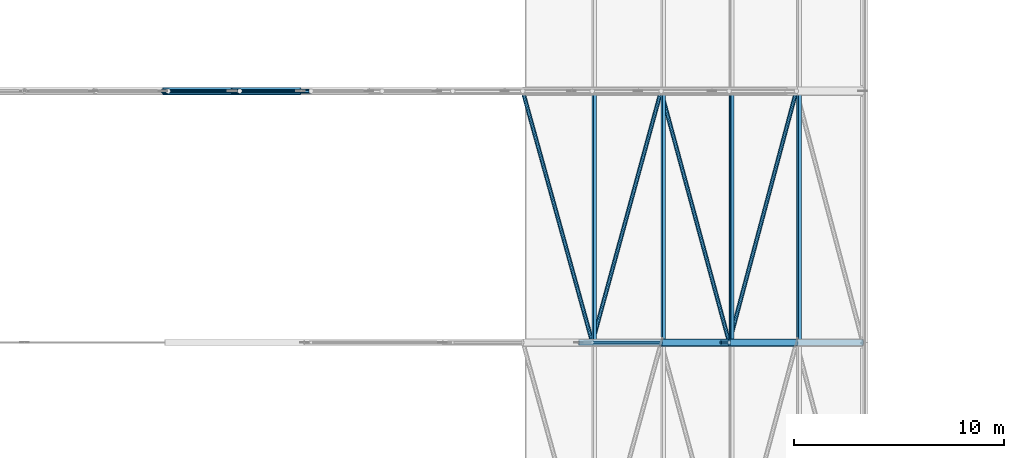
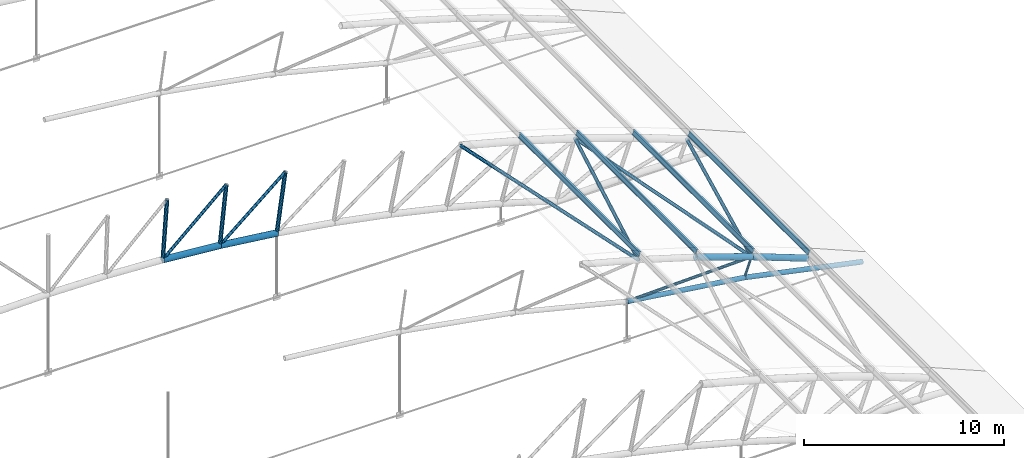
# One storey, part 105 of 321: 21 members.
"""IFC4 building model written with IfcOpenShell, lengths in metres."""

import ifcopenshell
import ifcopenshell.guid

model = None  # the IFC model being written
_history = None  # IfcOwnerHistory: only IFC2X3 demands one
_inside = {}  # id of a spatial element -> (the spatial element, [elements in it])
_under = {}  # id of a project, library or spatial element -> (it, [spatial elements below it])
_declared = {}  # id of a project -> (the project, [libraries it declares])
_typed = {}  # id of a type object -> (the type object, [elements of that type])
_made_of = {}  # id of a material, layer set ... -> (it, [elements and type objects made of it])


def new_model(schema):
    """Start an empty IFC model of exactly this schema.

    Asked for "IFC4X3", IfcOpenShell would pick the latest addendum, in which some entities
    have other attributes; the version numbers below select the first issue.
    IFC2X3 requires an IfcOwnerHistory on every rooted entity: one is made here for all.
    """
    global model, _history
    if schema == "IFC4X3":
        model = ifcopenshell.file(schema_version=(4, 3, 0, 0))
    else:
        model = ifcopenshell.file(schema=schema)
    _inside.clear()
    _under.clear()
    _declared.clear()
    _typed.clear()
    _made_of.clear()
    _history = None
    if model.schema == "IFC2X3":
        org = make("IfcOrganization", Name="unknown")
        user = make(
            "IfcPersonAndOrganization",
            ThePerson=make("IfcPerson", FamilyName="unknown"),
            TheOrganization=org,
        )
        app = make(
            "IfcApplication",
            ApplicationDeveloper=org,
            Version="unknown",
            ApplicationFullName="unknown",
            ApplicationIdentifier="unknown",
        )
        _history = make(
            "IfcOwnerHistory",
            OwningUser=user,
            OwningApplication=app,
            ChangeAction="ADDED",
            CreationDate=0,
        )
    return model


def make(cls, **values):
    """One entity of the class cls with the attributes given. An attribute that is None is left unset."""
    return model.create_entity(
        cls, **{name: value for name, value in values.items() if value is not None}
    )


def rooted(cls, **values):
    """An entity with a GlobalId (a new one), such as an element, a storey or a relation."""
    return make(cls, GlobalId=ifcopenshell.guid.new(), OwnerHistory=_history, **values)


def si_unit(unit_type, name, prefix=None):
    """IfcSIUnit, for example si_unit("LENGTHUNIT", "METRE", prefix="MILLI")."""
    return make("IfcSIUnit", UnitType=unit_type, Prefix=prefix, Name=name)


def assignment(units):
    """IfcUnitAssignment: the units of a project."""
    return None if units is None else make("IfcUnitAssignment", Units=units)


def point(xyz):
    """IfcCartesianPoint."""
    return None if xyz is None else make("IfcCartesianPoint", Coordinates=xyz)


def direction(xyz):
    """IfcDirection."""
    return None if xyz is None else make("IfcDirection", DirectionRatios=xyz)


def frame(location, z_axis=None, x_axis=None):
    """IfcAxis2Placement3D, a coordinate frame: its origin and axes. An axis left out is left unset."""
    return make(
        "IfcAxis2Placement3D",
        Location=point(location),
        Axis=direction(z_axis),
        RefDirection=direction(x_axis),
    )


def frame_2d(location, x_axis=None):
    """IfcAxis2Placement2D, a coordinate frame in the plane: its origin and x axis."""
    return make(
        "IfcAxis2Placement2D", Location=point(location), RefDirection=direction(x_axis)
    )


def origin():
    """The frame at (0, 0, 0) with its axes left unset."""
    return frame((0.0, 0.0, 0.0))


def origin_2d():
    """The frame at (0, 0) in the plane with its x axis left unset."""
    return frame_2d((0.0, 0.0))


def place(relative_to, where):
    """IfcLocalPlacement: puts the frame where relative to a parent placement (None: the world)."""
    return make(
        "IfcLocalPlacement", PlacementRelTo=relative_to, RelativePlacement=where
    )


def context(
    kind, dimensions, precision=None, world=None, true_north=None, identifier=None
):
    """IfcGeometricRepresentationContext, for example the 3D "Model" context."""
    return make(
        "IfcGeometricRepresentationContext",
        ContextIdentifier=identifier,
        ContextType=kind,
        CoordinateSpaceDimension=dimensions,
        Precision=precision,
        WorldCoordinateSystem=world,
        TrueNorth=true_north,
    )


def subcontext(parent, identifier, kind, view, scale=None):
    """IfcGeometricRepresentationSubContext, for example "Body" below "Model"."""
    return make(
        "IfcGeometricRepresentationSubContext",
        ContextIdentifier=identifier,
        ContextType=kind,
        ParentContext=parent,
        TargetScale=scale,
        TargetView=view,
    )


def project(units=None, contexts=None):
    """IfcProject with its units and contexts."""
    return rooted(
        "IfcProject",
        Name="project",
        RepresentationContexts=contexts,
        UnitsInContext=assignment(units),
    )


def spatial(cls, under=None, at=None, **own):
    """A site, building, storey or space (cls), placed at a placement, below another one or the project."""
    s = rooted(cls, ObjectPlacement=at, **own)
    if under is not None:
        _under.setdefault(under.id(), (under, []))[1].append(s)
    return s


def profile(cls, at=None, kind="AREA", **sizes):
    """A parametric profile (cls). Its sizes go by their IFC names, for example OverallWidth=200.0."""
    return make(cls, ProfileType=kind, Position=at, **sizes)


def hollow_circle(**sizes):
    """IfcCircleHollowProfileDef."""
    return profile("IfcCircleHollowProfileDef", **sizes)


def i_section(**sizes):
    """IfcIShapeProfileDef."""
    return profile("IfcIShapeProfileDef", **sizes)


def extrude(swept, where, along, depth):
    """IfcExtrudedAreaSolid: the profile swept, set in the frame where, extruded along a direction by depth."""
    return make(
        "IfcExtrudedAreaSolid",
        SweptArea=swept,
        Position=where,
        ExtrudedDirection=direction(along),
        Depth=depth,
    )


def shape(context_of_items, identifier, shape_type, items):
    """IfcShapeRepresentation: the items that make up one representation, for example the "Body"."""
    return make(
        "IfcShapeRepresentation",
        ContextOfItems=context_of_items,
        RepresentationIdentifier=identifier,
        RepresentationType=shape_type,
        Items=items,
    )


def material(Name=None, Category=None):
    """IfcMaterial."""
    return make("IfcMaterial", Name=Name, Category=Category)


def material_profile(
    of_material, cross_section, Name=None, Category=None, Priority=None
):
    """IfcMaterialProfile: a cross section and its material."""
    return make(
        "IfcMaterialProfile",
        Name=Name,
        Material=of_material,
        Profile=cross_section,
        Priority=Priority,
        Category=Category,
    )


def profile_set(profiles, Name=None, composite=None):
    """IfcMaterialProfileSet."""
    return make(
        "IfcMaterialProfileSet",
        Name=Name,
        MaterialProfiles=profiles,
        CompositeProfile=composite,
    )


def made_of(thing, what):
    """Note that an element or type object is made of a material, layer set ...; save() writes the relation."""
    if what is not None:
        _made_of.setdefault(what.id(), (what, []))[1].append(thing)
    return thing


def type_object(cls, material=None, **own):
    """A type object (cls), such as IfcWallType, which elements share."""
    return made_of(rooted(cls, **own), material)


def element(
    cls,
    number,
    at=None,
    inside=None,
    cuts=None,
    type_object=None,
    material=None,
    context=None,
    identifier="Body",
    shape_type=None,
    held_by="IfcProductDefinitionShape",
    body=None,
    shapes=None,
    **own,
):
    """One element of the class cls, such as IfcWall. Its Tag is "e" and its number.

    at: its placement. inside: the storey or other place that contains it. cuts: it is an
    opening in that element (IfcRelVoidsElement). A single representation is given by context,
    identifier, shape_type and body (its items); several are given by shapes. held_by: the class
    of the entity that holds the representations. save() writes the other relations.
    """
    e = rooted(cls, Tag="e%d" % number, ObjectPlacement=at, **own)
    if body is not None:
        shapes = [shape(context, identifier, shape_type, body)]
    if shapes is not None:
        e.Representation = make(held_by, Representations=shapes)
    if inside is not None:
        _inside.setdefault(inside.id(), (inside, []))[1].append(e)
    if cuts is not None:
        rooted(
            "IfcRelVoidsElement", RelatingBuildingElement=cuts, RelatedOpeningElement=e
        )
    if type_object is not None:
        _typed.setdefault(type_object.id(), (type_object, []))[1].append(e)
    return made_of(e, material)


def aggregate(whole, parts):
    """IfcRelAggregates: a whole, such as a stair, and the parts it consists of."""
    return rooted("IfcRelAggregates", RelatingObject=whole, RelatedObjects=parts)


def save(model, path):
    """Write the relations noted so far, then the file.

    IfcRelAggregates (storeys below a building ...), IfcRelContainedInSpatialStructure (elements
    in a storey), IfcRelDefinesByType, IfcRelAssociatesMaterial and IfcRelDeclares: one each for
    every whole, place, type object, material and project.
    """
    for whole, parts in _under.values():
        aggregate(whole, parts)
    for where, things in _inside.values():
        rooted(
            "IfcRelContainedInSpatialStructure",
            RelatedElements=things,
            RelatingStructure=where,
        )
    for kind, things in _typed.values():
        rooted("IfcRelDefinesByType", RelatedObjects=things, RelatingType=kind)
    for what, things in _made_of.values():
        rooted("IfcRelAssociatesMaterial", RelatedObjects=things, RelatingMaterial=what)
    for by, libraries in _declared.values():
        rooted("IfcRelDeclares", RelatingContext=by, RelatedDefinitions=libraries)
    model.write(path)


model = new_model("IFC4")

# Units and contexts
model_context = context("Model", 3, precision=1e-05, world=origin(), true_north=direction((0.0, 1.0)))
body_context = subcontext(model_context, "Body", "Model", "MODEL_VIEW")
ifc_project = project(units=[si_unit("LENGTHUNIT", "METRE"), si_unit("AREAUNIT", "SQUARE_METRE"), si_unit("VOLUMEUNIT", "CUBIC_METRE"), si_unit("PLANEANGLEUNIT", "RADIAN"), si_unit("MASSUNIT", "GRAM", prefix="KILO")], contexts=[model_context])

# Site, building, storey
site_placement = place(None, origin())
site = spatial("IfcSite", under=ifc_project, at=site_placement, CompositionType="ELEMENT")
building_placement = place(site_placement, origin())
building = spatial("IfcBuilding", under=site, at=building_placement, Name="Ravi Spectrum Wholesale Market", CompositionType="ELEMENT")
storey_placement = place(building_placement, frame((0.0, 0.0, 10.800048828125)))
storey = spatial("IfcBuildingStorey", under=building, at=storey_placement, Name="L02", CompositionType="ELEMENT", Elevation=10.800048828125)

# Members
ifc_material_1 = material(Name="Steel S355", Category="steel")
ifc_material_profile_1 = material_profile(ifc_material_1, hollow_circle(Radius=0.06982421875, WallThickness=0.0048828125, at=origin_2d()))
ifc_profile_set_1 = profile_set([ifc_material_profile_1], Name="Steel S355")
member_type_1 = type_object("IfcMemberType", Name="CHS 139.7x5 post", PredefinedType="POST", material=ifc_profile_set_1)
member_1_placement = place(storey_placement, frame((103.636962890625, 114.0, 2.56494140625), z_axis=(-0.338114270461, 0.0, -0.941105063269), x_axis=(0.0, -1.0, 0.0)))
element("IfcMember", 1, at=member_1_placement, inside=storey, type_object=member_type_1, Name="H1-MB-L02-632", PredefinedType="POST", context=body_context, shape_type="SweptSolid", body=[
    extrude(hollow_circle(Radius=0.06982421875, WallThickness=0.0048828125, at=origin_2d()), origin(), (0.0, 0.0, 1.0), 1.199951171875),
])
ifc_material_2 = material(Name="Steel S355", Category="steel")
ifc_material_profile_2 = material_profile(ifc_material_2, hollow_circle(Radius=0.084228515625, WallThickness=0.00634765625, at=origin_2d()))
ifc_profile_set_2 = profile_set([ifc_material_profile_2], Name="Steel S355")
member_type_2 = type_object("IfcMemberType", Name="CHS 168.3x6.3 brace", PredefinedType="BRACE", material=ifc_profile_set_2)
member_2_placement = place(storey_placement, frame((103.636962890625, 114.0, 2.56494140625), z_axis=(-0.999561599338, 0.0, -0.029607585673), x_axis=(0.0, -1.0, 0.0)))
element("IfcMember", 2, at=member_2_placement, inside=storey, type_object=member_type_2, Name="H1-MB-L02-642", PredefinedType="BRACE", context=body_context, shape_type="SweptSolid", body=[
    extrude(hollow_circle(Radius=0.084228515625, WallThickness=0.00634765625, at=origin_2d()), origin(), (0.0, 0.0, 1.0), 7.1904296875),
])
for number, where, z_axis, x_axis, name in (
    (3, (80.273193359375, 126.0, 7.867919921875), (-0.743626505142, 0.0, -0.668595259369), (0.0, -1.0, 0.0), "H1-MB-L02-733"),
    (4, (83.678466796875, 126.0, 7.45458984375), (-0.766252893925, 0.0, -0.642539105854), (0.0, -1.0, 0.0), "H1-MB-L02-734"),
):
    element("IfcMember", number, at=place(storey_placement, frame(where, z_axis=z_axis, x_axis=x_axis)), inside=storey, type_object=member_type_2, Name=name, PredefinedType="BRACE", context=body_context, shape_type="SweptSolid", body=[
        extrude(hollow_circle(Radius=0.084228515625, WallThickness=0.00634765625, at=origin_2d()), origin(), (0.0, 0.0, 1.0), 4.9296875),
    ])
ifc_material_3 = material(Name="Steel S355", Category="steel")
ifc_material_profile_3 = material_profile(ifc_material_3, hollow_circle(Radius=0.096923828125, WallThickness=0.00634765625, at=origin_2d()))
ifc_profile_set_3 = profile_set([ifc_material_profile_3], Name="Steel S355")
member_type_3 = type_object("IfcMemberType", Name="CHS 193.7x6.3 brace", PredefinedType="BRACE", material=ifc_profile_set_3)
for number, where, z_axis, x_axis, name in (
    (5, (93.78076171875, 126.0, 5.514404296875), (0.26624914117, -0.961478053543, -0.068347255841), (0.963731651121, 0.266873199532, 0.0), "H1-MB-L02-1675"),
    (6, (97.103759765625, 114.0, 4.661376953125), (0.262551801783, 0.961477139117, -0.08141414089), (-0.964679529004, 0.263426282517, 0.0), "H1-MB-L02-1676"),
    (7, (100.380615234375, 126.0, 3.645263671875), (0.260908126195, -0.961475200084, -0.086558588875), (0.965097440522, 0.261891065708, 0.0), "H1-MB-L02-1677"),
):
    element("IfcMember", number, at=place(storey_placement, frame(where, z_axis=z_axis, x_axis=x_axis)), inside=storey, type_object=member_type_3, Name=name, PredefinedType="BRACE", context=body_context, shape_type="SweptSolid", body=[
        extrude(hollow_circle(Radius=0.096923828125, WallThickness=0.00634765625, at=origin_2d()), origin(), (0.0, 0.0, 1.0), 12.480712890625),
    ])
member_3_placement = place(storey_placement, frame((103.636962890625, 114.0, 2.56494140625), z_axis=(0.256330404397, 0.961473751291, -0.099312382717), x_axis=(-0.966250599295, 0.257603919539, 0.0)))
element("IfcMember", 8, at=member_3_placement, inside=storey, type_object=member_type_3, Name="H1-MB-L02-1678", PredefinedType="BRACE", context=body_context, shape_type="SweptSolid", body=[
    extrude(hollow_circle(Radius=0.096923828125, WallThickness=0.00634765625, at=origin_2d()), origin(), (0.0, 0.0, 1.0), 12.48095703125),
])
ifc_material_4 = material(Name="Steel S355", Category="steel")
ifc_material_profile_4 = material_profile(ifc_material_4, hollow_circle(Radius=0.109619140625, WallThickness=0.008056640625, at=origin_2d()))
ifc_profile_set_4 = profile_set([ifc_material_profile_4], Name="Steel S355")
member_type_4 = type_object("IfcMemberType", Name="CHS 219.1x8 post", PredefinedType="POST", material=ifc_profile_set_4)
member_4_placement = place(storey_placement, frame((76.85546875, 126.0, 8.163330078125), z_axis=(-0.068904502548, 0.0, -0.997623260319), x_axis=(0.0, -1.0, 0.0)))
element("IfcMember", 9, at=member_4_placement, inside=storey, type_object=member_type_4, Name="H1-MB-L02-710", PredefinedType="POST", context=body_context, shape_type="SweptSolid", body=[
    extrude(hollow_circle(Radius=0.109619140625, WallThickness=0.008056640625, at=origin_2d()), origin(), (0.0, 0.0, 1.0), 3.599853515625),
])
member_5_placement = place(storey_placement, frame((80.273193359375, 126.0, 7.867919921875), z_axis=(-0.103350310801, 0.0, -0.994645018716), x_axis=(0.0, -1.0, 0.0)))
element("IfcMember", 10, at=member_5_placement, inside=storey, type_object=member_type_4, Name="H1-MB-L02-711", PredefinedType="POST", context=body_context, shape_type="SweptSolid", body=[
    extrude(hollow_circle(Radius=0.109619140625, WallThickness=0.008056640625, at=origin_2d()), origin(), (0.0, 0.0, 1.0), 3.60009765625),
])
member_6_placement = place(storey_placement, frame((83.678466796875, 126.0, 7.45458984375), z_axis=(-0.137603486835, 0.0, -0.990487395382), x_axis=(0.0, -1.0, 0.0)))
element("IfcMember", 11, at=member_6_placement, inside=storey, type_object=member_type_4, Name="H1-MB-L02-712", PredefinedType="POST", context=body_context, shape_type="SweptSolid", body=[
    extrude(hollow_circle(Radius=0.109619140625, WallThickness=0.008056640625, at=origin_2d()), origin(), (0.0, 0.0, 1.0), 3.599853515625),
])
ifc_material_5 = material(Name="Steel S355", Category="steel")
ifc_material_profile_5 = material_profile(ifc_material_5, hollow_circle(Radius=0.136474609375, WallThickness=0.010009765625, at=origin_2d()))
ifc_profile_set_5 = profile_set([ifc_material_profile_5], Name="Steel S355")
member_type_5 = type_object("IfcMemberType", Name="CHS 273x10 chord", PredefinedType="CHORD", material=ifc_profile_set_5)
member_7_placement = place(storey_placement, frame((96.44970703125, 114.0, 2.35205078125), z_axis=(0.990990766788, 0.0, -0.133930206233), x_axis=(0.0, 1.0, 0.0)))
element("IfcMember", 12, at=member_7_placement, inside=storey, type_object=member_type_5, Name="H1-MB-L02-620", PredefinedType="CHORD", context=body_context, shape_type="SweptSolid", body=[
    extrude(hollow_circle(Radius=0.136474609375, WallThickness=0.010009765625, at=origin_2d()), origin(), (0.0, 0.0, 1.0), 6.84326171875),
])
member_8_placement = place(storey_placement, frame((103.231201171875, 114.0, 1.435546875), z_axis=(0.978978953118, 0.0, -0.203961293758), x_axis=(0.0, 1.0, 0.0)))
element("IfcMember", 13, at=member_8_placement, inside=storey, type_object=member_type_5, Name="H1-MB-L02-621", PredefinedType="CHORD", context=body_context, shape_type="SweptSolid", body=[
    extrude(hollow_circle(Radius=0.136474609375, WallThickness=0.010009765625, at=origin_2d()), origin(), (0.0, 0.0, 1.0), 6.924560546875),
])
ifc_material_6 = material(Name="Steel S355", Category="steel")
ifc_material_profile_6 = material_profile(ifc_material_6, hollow_circle(Radius=0.177734375, WallThickness=0.012451171875, at=origin_2d()))
ifc_profile_set_6 = profile_set([ifc_material_profile_6], Name="Steel S355")
member_type_6 = type_object("IfcMemberType", Name="CHS 355.6x12.5 chord", PredefinedType="CHORD", material=ifc_profile_set_6)
for number, where, z_axis, x_axis, name in (
    (14, (100.388427734375, 114.0, 3.66943359375), (0.946773612235, 0.0, -0.321900182005), (0.0, 1.0, 0.0), "H1-MB-L02-607"),
    (15, (103.636962890625, 114.0, 2.56494140625), (0.935113010382, 0.0, -0.354349626518), (0.0, 1.0, 0.0), "H1-MB-L02-608"),
):
    element("IfcMember", number, at=place(storey_placement, frame(where, z_axis=z_axis, x_axis=x_axis)), inside=storey, type_object=member_type_6, Name=name, PredefinedType="CHORD", context=body_context, shape_type="SweptSolid", body=[
        extrude(hollow_circle(Radius=0.177734375, WallThickness=0.012451171875, at=origin_2d()), origin(), (0.0, 0.0, 1.0), 3.43115234375),
    ])
member_9_placement = place(storey_placement, frame((76.607421875, 126.0, 4.572021484375), z_axis=(0.99627955827, 0.0, -0.08618028645), x_axis=(0.0, 1.0, 0.0)))
element("IfcMember", 16, at=member_9_placement, inside=storey, type_object=member_type_6, Name="H1-MB-L02-687", PredefinedType="CHORD", context=body_context, shape_type="SweptSolid", body=[
    extrude(hollow_circle(Radius=0.177734375, WallThickness=0.012451171875, at=origin_2d()), origin(), (0.0, 0.0, 1.0), 3.305908203125),
])
member_10_placement = place(storey_placement, frame((79.901123046875, 126.0, 4.287109375), z_axis=(0.99272014244, 0.0, -0.120443840833), x_axis=(0.0, 1.0, 0.0)))
element("IfcMember", 17, at=member_10_placement, inside=storey, type_object=member_type_6, Name="H1-MB-L02-688", PredefinedType="CHORD", context=body_context, shape_type="SweptSolid", body=[
    extrude(hollow_circle(Radius=0.177734375, WallThickness=0.012451171875, at=origin_2d()), origin(), (0.0, 0.0, 1.0), 3.30615234375),
])
ifc_material_7 = material(Name="Steel S355", Category="steel")
ifc_material_profile_7 = material_profile(ifc_material_7, i_section(OverallWidth=0.135009765625, OverallDepth=0.27001953125, WebThickness=0.006591796875, FlangeThickness=0.01025390625, at=origin_2d()))
ifc_profile_set_7 = profile_set([ifc_material_profile_7], Name="Steel S355")
member_type_7 = type_object("IfcMemberType", Name="IPE 270 purlin", PredefinedType="PURLIN", material=ifc_profile_set_7)
for number, where, z_axis, x_axis, name in (
    (18, (97.18896484375, 114.0, 4.962158203125), (0.0, 1.0, 0.0), (-0.96215600485, 0.0, 0.272499215286), "H1-MB-L02-1429"),
    (19, (100.484130859375, 114.0, 3.96728515625), (0.0, 1.0, 0.0), (-0.952184497174, 0.0, 0.305523621577), "H1-MB-L02-1430"),
    (20, (103.74267578125, 114.0, 2.859375), (0.0, 1.0, 0.0), (-0.941079849597, 0.0, 0.338184441811), "H1-MB-L02-1431"),
    (21, (106.96142578125, 114.0, 1.6396484375), (0.0, 1.0, 0.0), (-0.928855283584, 0.0, 0.370442792017), "H1-MB-L02-1432"),
):
    element("IfcMember", number, at=place(storey_placement, frame(where, z_axis=z_axis, x_axis=x_axis)), inside=storey, type_object=member_type_7, Name=name, PredefinedType="PURLIN", context=body_context, shape_type="SweptSolid", body=[
        extrude(i_section(OverallWidth=0.135009765625, OverallDepth=0.27001953125, WebThickness=0.006591796875, FlangeThickness=0.01025390625, at=origin_2d()), origin(), (0.0, 0.0, 1.0), 12.0),
    ])

save(model, "model.ifc")
